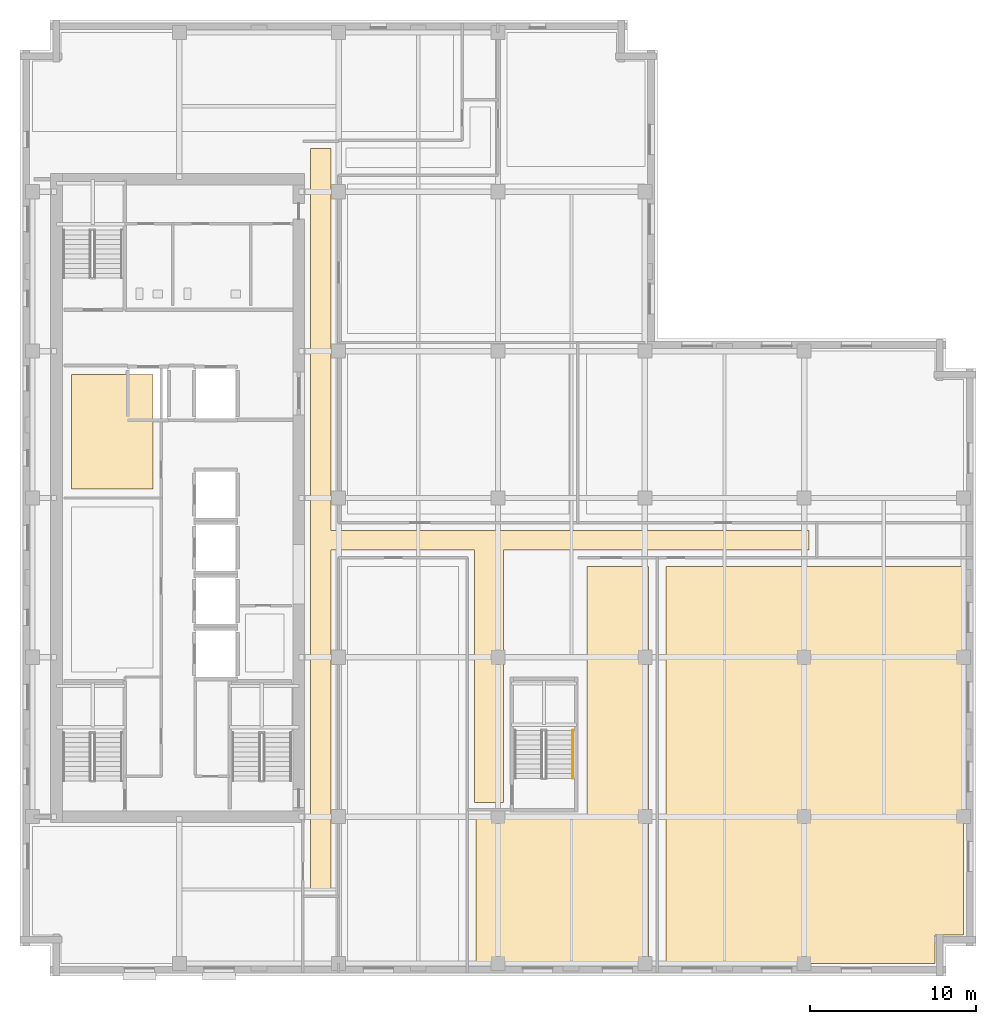
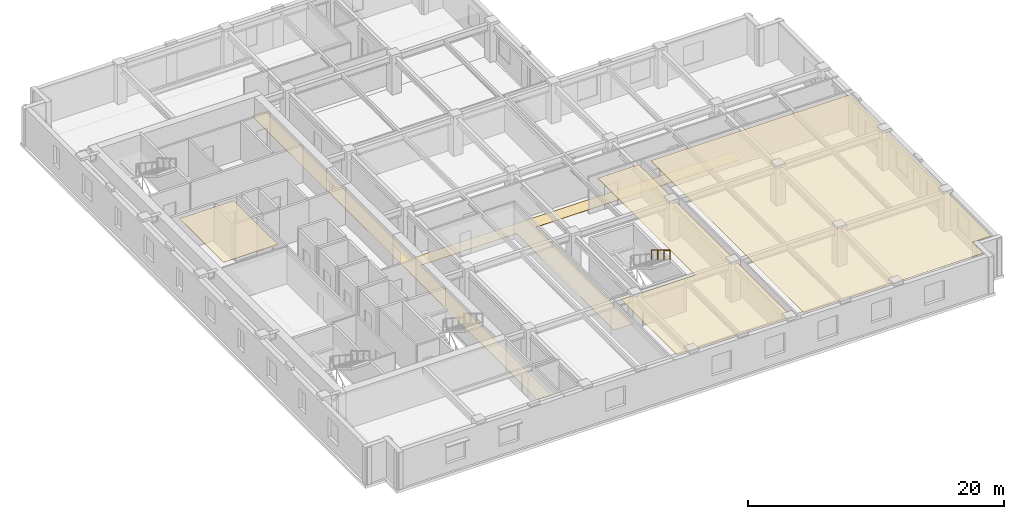
# One storey, part 11 of 14: 4 coverings, 1 railing.
"""IFC4 building model written with IfcOpenShell, lengths in metres."""

from ifc_helpers import new_model, si_unit, direction, frame, origin, origin_2d, place, context, subcontext, project, spatial, polyline, circle, outline, extrude, material, layer, layer_set, type_object, element, save


model = new_model("IFC4")

# Units and contexts
model_context = context("Model", 3, precision=1e-05, world=origin(), true_north=direction((0.0, 1.0)))
body_context = subcontext(model_context, "Body", "Model", "MODEL_VIEW")
ifc_project = project(units=[si_unit("LENGTHUNIT", "METRE"), si_unit("AREAUNIT", "SQUARE_METRE"), si_unit("VOLUMEUNIT", "CUBIC_METRE"), si_unit("PLANEANGLEUNIT", "RADIAN"), si_unit("MASSUNIT", "GRAM", prefix="KILO")], contexts=[model_context])

# Site, building, storey
site_placement = place(None, origin())
site = spatial("IfcSite", under=ifc_project, at=site_placement, CompositionType="ELEMENT")
building_placement = place(site_placement, origin())
building = spatial("IfcBuilding", under=site, at=building_placement, Name="Norrvale University Quadrangle", CompositionType="ELEMENT")
storey_placement = place(building_placement, frame((0.0, 0.0, 214.199951171875)))
storey = spatial("IfcBuildingStorey", under=building, at=storey_placement, Name="L54", CompositionType="ELEMENT", Elevation=214.199951171875)

# Coverings
ifc_material_1 = material(Name="Perforated Acoustic Mineral Ceiling")
ifc_layer_1 = layer(ifc_material_1, 0.02490234375, Name="Perforated Acoustic Mineral Ceiling")
ifc_layer_set_1 = layer_set([ifc_layer_1], Name="Perforated Acoustic Mineral Ceiling")
covering_type_1 = type_object("IfcCoveringType", Name="Covering Acoustic Ceiling 25", PredefinedType="CEILING", material=ifc_layer_set_1)
covering_1_placement = place(storey_placement, frame((0.0, 0.0, 3.51513671875)))
element("IfcCovering", 1, at=covering_1_placement, inside=storey, type_object=covering_type_1, Name="Acoustic Ceiling RM-L54-REC3", PredefinedType="CEILING", context=body_context, shape_type="SweptSolid", body=[
    extrude(outline(polyline([(3.10009765625, 29.35009765625), (3.10009765625, 36.25), (8.0, 36.25), (8.0, 29.35009765625), (3.10009765625, 29.35009765625)])), origin(), (0.0, 0.0, 1.0), 0.02490234375),
])
covering_2_placement = place(storey_placement, frame((0.0, 0.0, 3.51513671875)))
element("IfcCovering", 2, at=covering_2_placement, inside=storey, type_object=covering_type_1, Name="Acoustic Ceiling RM-L54-SE2", PredefinedType="CEILING", context=body_context, shape_type="SweptSolid", body=[
    extrude(outline(polyline([(27.47998046875, 9.449951171875), (34.14990234375, 9.449951171875), (34.14990234375, 24.669921875), (37.8701171875, 24.669921875), (37.8701171875, 0.75), (27.47998046875, 0.75), (27.47998046875, 9.449951171875)])), origin(), (0.0, 0.0, 1.0), 0.02490234375),
])
covering_3_placement = place(storey_placement, frame((0.0, 0.0, 3.51513671875)))
element("IfcCovering", 3, at=covering_3_placement, inside=storey, type_object=covering_type_1, Name="Acoustic Ceiling RM-L54-SE3", PredefinedType="CEILING", context=body_context, shape_type="SweptSolid", body=[
    extrude(outline(polyline([(38.929931640625, 0.75), (38.929931640625, 24.669921875), (56.85009765625, 24.669921875), (56.85009765625, 2.469970703125), (55.1298828125, 2.469970703125), (55.1298828125, 0.75), (38.929931640625, 0.75)])), origin(), (0.0, 0.0, 1.0), 0.02490234375),
])
ifc_material_2 = material(Name="Polished Terrazzo Flooring")
ifc_layer_2 = layer(ifc_material_2, 0.02490234375, Name="Polished Terrazzo Flooring")
ifc_layer_set_2 = layer_set([ifc_layer_2], Name="Polished Terrazzo Flooring")
covering_type_2 = type_object("IfcCoveringType", Name="Covering Terrazzo Floor 30", PredefinedType="FLOORING", material=ifc_layer_set_2)
covering_4_placement = place(storey_placement, origin())
element("IfcCovering", 4, at=covering_4_placement, inside=storey, type_object=covering_type_2, Name="Terrazzo Flooring RM-L54-CORR1", PredefinedType="FLOORING", context=body_context, shape_type="SweptSolid", body=[
    extrude(outline(polyline([(17.5, 5.25), (17.5, 49.85009765625), (18.75, 49.85009765625), (18.75, 26.85009765625), (47.550048828125, 26.85009765625), (47.550048828125, 25.64990234375), (29.1298828125, 25.64990234375), (29.1298828125, 10.449951171875), (27.39990234375, 10.449951171875), (27.39990234375, 25.64990234375), (18.75, 25.64990234375), (18.75, 5.25), (17.5, 5.25)])), origin(), (0.0, 0.0, 1.0), 0.025146484375),
])

# Railing
ifc_material_3 = material(Name="Stainless Steel 316L Handrail", Category="steel")
railing_type = type_object("IfcRailingType", Name="Railing Stair Handrail 920", PredefinedType="HANDRAIL", material=ifc_material_3)
railing_placement = place(storey_placement, frame((33.31005859375, 14.800048828125, 2.07275390625)))
element("IfcRailing", 5, at=railing_placement, inside=storey, type_object=railing_type, Name="Stair Upper Flight Handrail ST-04 L54", PredefinedType="HANDRAIL", context=body_context, shape_type="SweptSolid", body=[
    extrude(circle(Radius=0.02392578125, at=origin_2d()), frame((0.0, 0.0, 0.89599609375), z_axis=(0.0, -0.859160404282, 0.51170636083), x_axis=(1.0, 0.0, 0.0)), (0.0, 0.0, 1.0), 3.37548828125),
    extrude(circle(Radius=0.02099609375, at=origin_2d()), origin(), (0.0, 0.0, 1.0), 0.871826171875),
    extrude(circle(Radius=0.02099609375, at=origin_2d()), frame((0.0, -0.966796875, 0.57568359375)), (0.0, 0.0, 1.0), 0.871826171875),
    extrude(circle(Radius=0.02099609375, at=origin_2d()), frame((0.0, -1.933349609375, 1.151611328125)), (0.0, 0.0, 1.0), 0.871826171875),
    extrude(circle(Radius=0.02099609375, at=origin_2d()), frame((0.0, -2.900146484375, 1.727294921875)), (0.0, 0.0, 1.0), 0.871826171875),
])

save(model, "model.ifc")
